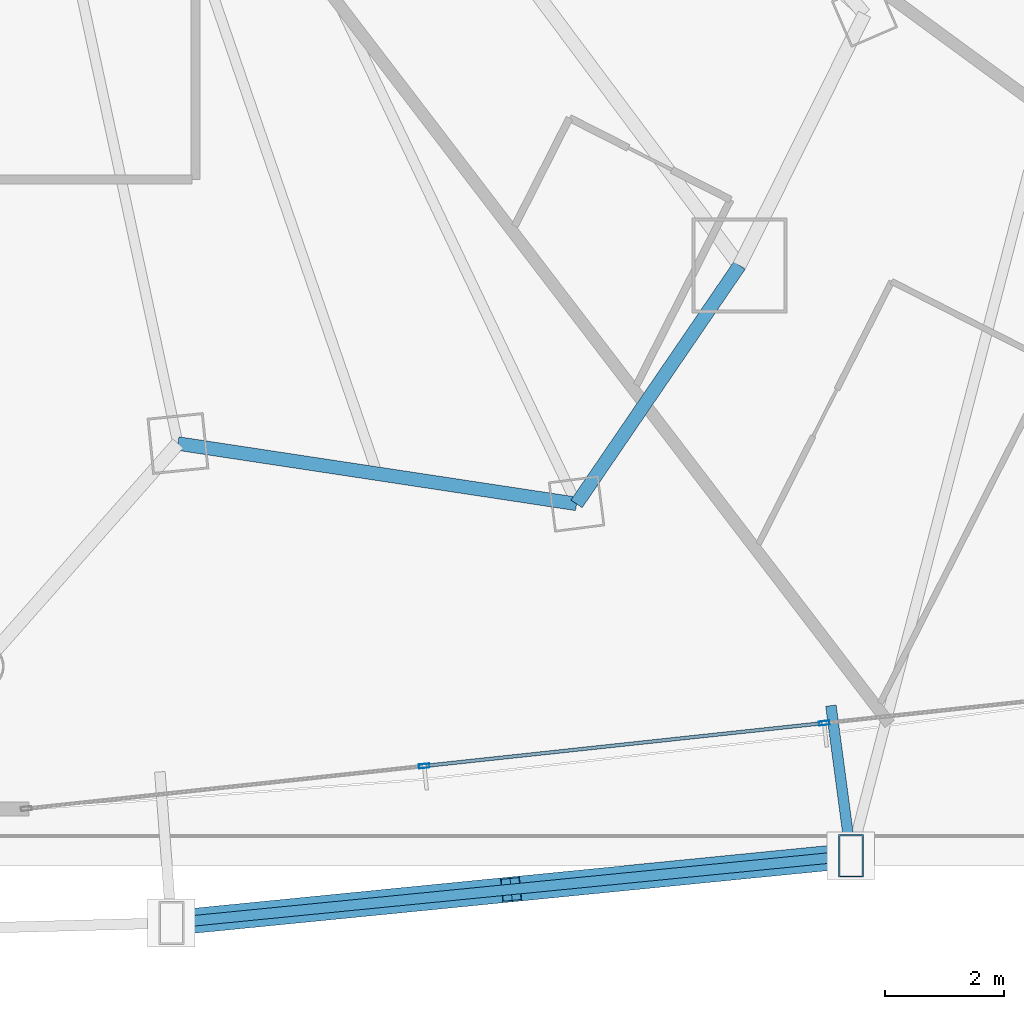
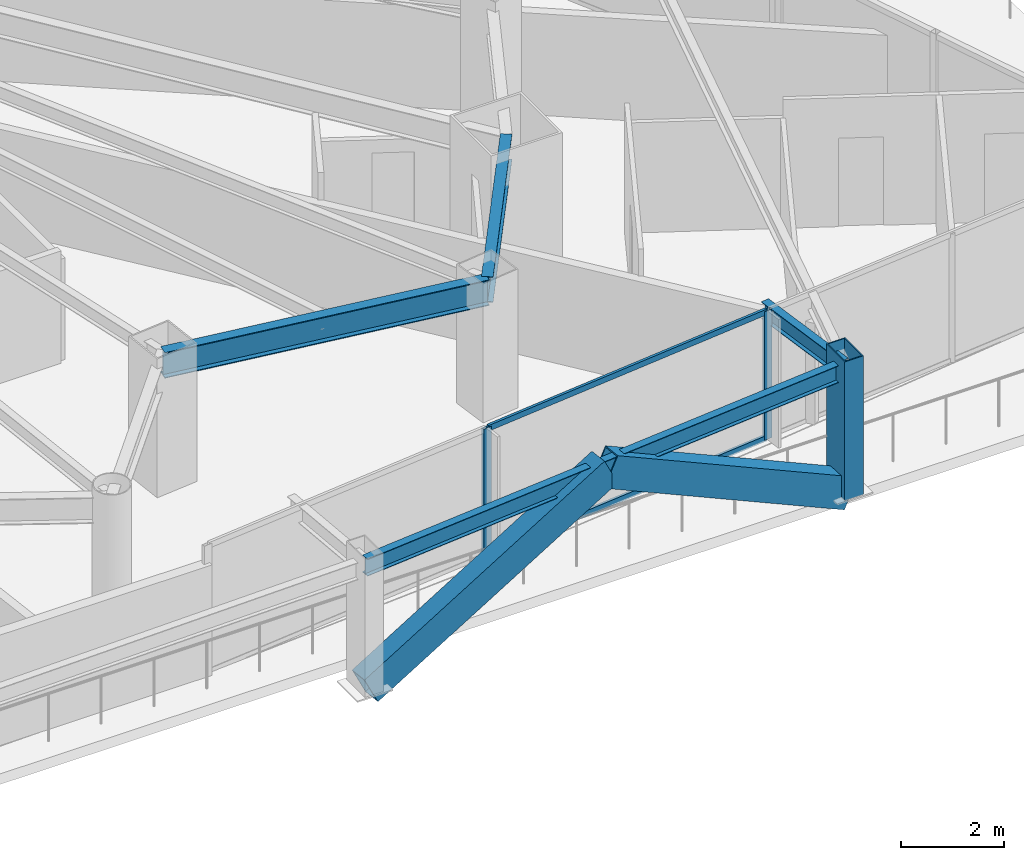
# One storey, part 13 of 36: 7 members, 4 beams, 1 element without a shape of its own.
"""IFC4 building model written with IfcOpenShell, lengths in metres."""

import ifcopenshell
import ifcopenshell.guid

model = None  # the IFC model being written
_history = None  # IfcOwnerHistory: only IFC2X3 demands one
_inside = {}  # id of a spatial element -> (the spatial element, [elements in it])
_under = {}  # id of a project, library or spatial element -> (it, [spatial elements below it])
_declared = {}  # id of a project -> (the project, [libraries it declares])
_typed = {}  # id of a type object -> (the type object, [elements of that type])
_made_of = {}  # id of a material, layer set ... -> (it, [elements and type objects made of it])


def new_model(schema):
    """Start an empty IFC model of exactly this schema.

    Asked for "IFC4X3", IfcOpenShell would pick the latest addendum, in which some entities
    have other attributes; the version numbers below select the first issue.
    IFC2X3 requires an IfcOwnerHistory on every rooted entity: one is made here for all.
    """
    global model, _history
    if schema == "IFC4X3":
        model = ifcopenshell.file(schema_version=(4, 3, 0, 0))
    else:
        model = ifcopenshell.file(schema=schema)
    _inside.clear()
    _under.clear()
    _declared.clear()
    _typed.clear()
    _made_of.clear()
    _history = None
    if model.schema == "IFC2X3":
        org = make("IfcOrganization", Name="unknown")
        user = make(
            "IfcPersonAndOrganization",
            ThePerson=make("IfcPerson", FamilyName="unknown"),
            TheOrganization=org,
        )
        app = make(
            "IfcApplication",
            ApplicationDeveloper=org,
            Version="unknown",
            ApplicationFullName="unknown",
            ApplicationIdentifier="unknown",
        )
        _history = make(
            "IfcOwnerHistory",
            OwningUser=user,
            OwningApplication=app,
            ChangeAction="ADDED",
            CreationDate=0,
        )
    return model


def make(cls, **values):
    """One entity of the class cls with the attributes given. An attribute that is None is left unset."""
    return model.create_entity(
        cls, **{name: value for name, value in values.items() if value is not None}
    )


def rooted(cls, **values):
    """An entity with a GlobalId (a new one), such as an element, a storey or a relation."""
    return make(cls, GlobalId=ifcopenshell.guid.new(), OwnerHistory=_history, **values)


def si_unit(unit_type, name, prefix=None):
    """IfcSIUnit, for example si_unit("LENGTHUNIT", "METRE", prefix="MILLI")."""
    return make("IfcSIUnit", UnitType=unit_type, Prefix=prefix, Name=name)


def assignment(units):
    """IfcUnitAssignment: the units of a project."""
    return None if units is None else make("IfcUnitAssignment", Units=units)


def point(xyz):
    """IfcCartesianPoint."""
    return None if xyz is None else make("IfcCartesianPoint", Coordinates=xyz)


def direction(xyz):
    """IfcDirection."""
    return None if xyz is None else make("IfcDirection", DirectionRatios=xyz)


def frame(location, z_axis=None, x_axis=None):
    """IfcAxis2Placement3D, a coordinate frame: its origin and axes. An axis left out is left unset."""
    return make(
        "IfcAxis2Placement3D",
        Location=point(location),
        Axis=direction(z_axis),
        RefDirection=direction(x_axis),
    )


def frame_2d(location, x_axis=None):
    """IfcAxis2Placement2D, a coordinate frame in the plane: its origin and x axis."""
    return make(
        "IfcAxis2Placement2D", Location=point(location), RefDirection=direction(x_axis)
    )


def origin():
    """The frame at (0, 0, 0) with its axes left unset."""
    return frame((0.0, 0.0, 0.0))


def origin_2d():
    """The frame at (0, 0) in the plane with its x axis left unset."""
    return frame_2d((0.0, 0.0))


def place(relative_to, where):
    """IfcLocalPlacement: puts the frame where relative to a parent placement (None: the world)."""
    return make(
        "IfcLocalPlacement", PlacementRelTo=relative_to, RelativePlacement=where
    )


def context(
    kind, dimensions, precision=None, world=None, true_north=None, identifier=None
):
    """IfcGeometricRepresentationContext, for example the 3D "Model" context."""
    return make(
        "IfcGeometricRepresentationContext",
        ContextIdentifier=identifier,
        ContextType=kind,
        CoordinateSpaceDimension=dimensions,
        Precision=precision,
        WorldCoordinateSystem=world,
        TrueNorth=true_north,
    )


def subcontext(parent, identifier, kind, view, scale=None):
    """IfcGeometricRepresentationSubContext, for example "Body" below "Model"."""
    return make(
        "IfcGeometricRepresentationSubContext",
        ContextIdentifier=identifier,
        ContextType=kind,
        ParentContext=parent,
        TargetScale=scale,
        TargetView=view,
    )


def project(units=None, contexts=None):
    """IfcProject with its units and contexts."""
    return rooted(
        "IfcProject",
        Name="project",
        RepresentationContexts=contexts,
        UnitsInContext=assignment(units),
    )


def spatial(cls, under=None, at=None, **own):
    """A site, building, storey or space (cls), placed at a placement, below another one or the project."""
    s = rooted(cls, ObjectPlacement=at, **own)
    if under is not None:
        _under.setdefault(under.id(), (under, []))[1].append(s)
    return s


def profile(cls, at=None, kind="AREA", **sizes):
    """A parametric profile (cls). Its sizes go by their IFC names, for example OverallWidth=200.0."""
    return make(cls, ProfileType=kind, Position=at, **sizes)


def hollow_rectangle(**sizes):
    """IfcRectangleHollowProfileDef."""
    return profile("IfcRectangleHollowProfileDef", **sizes)


def i_section(**sizes):
    """IfcIShapeProfileDef."""
    return profile("IfcIShapeProfileDef", **sizes)


def extrude(swept, where, along, depth):
    """IfcExtrudedAreaSolid: the profile swept, set in the frame where, extruded along a direction by depth."""
    return make(
        "IfcExtrudedAreaSolid",
        SweptArea=swept,
        Position=where,
        ExtrudedDirection=direction(along),
        Depth=depth,
    )


def shape(context_of_items, identifier, shape_type, items):
    """IfcShapeRepresentation: the items that make up one representation, for example the "Body"."""
    return make(
        "IfcShapeRepresentation",
        ContextOfItems=context_of_items,
        RepresentationIdentifier=identifier,
        RepresentationType=shape_type,
        Items=items,
    )


def material(Name=None, Category=None):
    """IfcMaterial."""
    return make("IfcMaterial", Name=Name, Category=Category)


def layer(
    of_material, thickness, ventilated=None, Name=None, Category=None, Priority=None
):
    """IfcMaterialLayer: one layer of a wall or slab, of a material (None: an air gap)."""
    return make(
        "IfcMaterialLayer",
        Material=of_material,
        LayerThickness=thickness,
        IsVentilated=ventilated,
        Name=Name,
        Category=Category,
        Priority=Priority,
    )


def layer_set(layers, Name=None):
    """IfcMaterialLayerSet."""
    return make("IfcMaterialLayerSet", MaterialLayers=layers, LayerSetName=Name)


def material_profile(
    of_material, cross_section, Name=None, Category=None, Priority=None
):
    """IfcMaterialProfile: a cross section and its material."""
    return make(
        "IfcMaterialProfile",
        Name=Name,
        Material=of_material,
        Profile=cross_section,
        Priority=Priority,
        Category=Category,
    )


def profile_set(profiles, Name=None, composite=None):
    """IfcMaterialProfileSet."""
    return make(
        "IfcMaterialProfileSet",
        Name=Name,
        MaterialProfiles=profiles,
        CompositeProfile=composite,
    )


def made_of(thing, what):
    """Note that an element or type object is made of a material, layer set ...; save() writes the relation."""
    if what is not None:
        _made_of.setdefault(what.id(), (what, []))[1].append(thing)
    return thing


def type_object(cls, material=None, **own):
    """A type object (cls), such as IfcWallType, which elements share."""
    return made_of(rooted(cls, **own), material)


def element(
    cls,
    number,
    at=None,
    inside=None,
    cuts=None,
    type_object=None,
    material=None,
    context=None,
    identifier="Body",
    shape_type=None,
    held_by="IfcProductDefinitionShape",
    body=None,
    shapes=None,
    **own,
):
    """One element of the class cls, such as IfcWall. Its Tag is "e" and its number.

    at: its placement. inside: the storey or other place that contains it. cuts: it is an
    opening in that element (IfcRelVoidsElement). A single representation is given by context,
    identifier, shape_type and body (its items); several are given by shapes. held_by: the class
    of the entity that holds the representations. save() writes the other relations.
    """
    e = rooted(cls, Tag="e%d" % number, ObjectPlacement=at, **own)
    if body is not None:
        shapes = [shape(context, identifier, shape_type, body)]
    if shapes is not None:
        e.Representation = make(held_by, Representations=shapes)
    if inside is not None:
        _inside.setdefault(inside.id(), (inside, []))[1].append(e)
    if cuts is not None:
        rooted(
            "IfcRelVoidsElement", RelatingBuildingElement=cuts, RelatedOpeningElement=e
        )
    if type_object is not None:
        _typed.setdefault(type_object.id(), (type_object, []))[1].append(e)
    return made_of(e, material)


def aggregate(whole, parts):
    """IfcRelAggregates: a whole, such as a stair, and the parts it consists of."""
    return rooted("IfcRelAggregates", RelatingObject=whole, RelatedObjects=parts)


def save(model, path):
    """Write the relations noted so far, then the file.

    IfcRelAggregates (storeys below a building ...), IfcRelContainedInSpatialStructure (elements
    in a storey), IfcRelDefinesByType, IfcRelAssociatesMaterial and IfcRelDeclares: one each for
    every whole, place, type object, material and project.
    """
    for whole, parts in _under.values():
        aggregate(whole, parts)
    for where, things in _inside.values():
        rooted(
            "IfcRelContainedInSpatialStructure",
            RelatedElements=things,
            RelatingStructure=where,
        )
    for kind, things in _typed.values():
        rooted("IfcRelDefinesByType", RelatedObjects=things, RelatingType=kind)
    for what, things in _made_of.values():
        rooted("IfcRelAssociatesMaterial", RelatedObjects=things, RelatingMaterial=what)
    for by, libraries in _declared.values():
        rooted("IfcRelDeclares", RelatingContext=by, RelatedDefinitions=libraries)
    model.write(path)


model = new_model("IFC4")

# Units and contexts
model_context = context("Model", 3, precision=1e-05, world=origin(), true_north=direction((0.0, 1.0)))
body_context = subcontext(model_context, "Body", "Model", "MODEL_VIEW")
ifc_project = project(units=[si_unit("LENGTHUNIT", "METRE"), si_unit("AREAUNIT", "SQUARE_METRE"), si_unit("VOLUMEUNIT", "CUBIC_METRE"), si_unit("PLANEANGLEUNIT", "RADIAN"), si_unit("MASSUNIT", "GRAM", prefix="KILO")], contexts=[model_context])

# Site, building, storey
site_placement = place(None, origin())
site = spatial("IfcSite", under=ifc_project, at=site_placement, CompositionType="ELEMENT")
building_placement = place(site_placement, origin())
building = spatial("IfcBuilding", under=site, at=building_placement, Name="Orvanel Arch Residences", CompositionType="ELEMENT")
storey_placement = place(building_placement, frame((0.0, 0.0, 23.60009765625)))
storey = spatial("IfcBuildingStorey", under=building, at=storey_placement, Name="L05", CompositionType="ELEMENT", Elevation=23.60009765625)

# Members
ifc_material_1 = material(Name="Structural steel AS/NZS 3678 Grade 350", Category="steel")
ifc_material_profile_1 = material_profile(ifc_material_1, hollow_rectangle(XDim=0.419921875, YDim=0.719970703125, WallThickness=0.02490234375, at=origin_2d()), Name="RHS720x420x25")
ifc_profile_set_1 = profile_set([ifc_material_profile_1], Name="Structural steel AS/NZS 3678 Grade 350")
member_type_1 = type_object("IfcMemberType", Name="BR-720RHS-EXT", PredefinedType="BRACE", material=ifc_profile_set_1)
for number, where, z_axis, x_axis, name in (
    (1, (42.239013671875, -0.714111328125, 0.0), (0.891111811105, 0.088065051983, 0.445156474431), (-0.098346950492, 0.995152188024, 0.0), "L05 Exterior Sky-Garden V-Frame Chevron F2B3.1"),
    (2, (53.677001953125, 0.416015625, 0.0), (-0.891114795778, -0.08802730576, 0.44515796543), (0.09830487864, -0.995156344921, 0.0), "L05 Exterior Sky-Garden V-Frame Chevron F2B3.2"),
):
    element("IfcMember", number, at=place(storey_placement, frame(where, z_axis=z_axis, x_axis=x_axis)), inside=storey, type_object=member_type_1, Name=name, PredefinedType="BRACE", context=body_context, shape_type="SweptSolid", body=[
        extrude(hollow_rectangle(XDim=0.419921875, YDim=0.719970703125, WallThickness=0.02490234375, at=origin_2d()), origin(), (0.0, 0.0, 1.0), 6.417724609375),
    ])
ifc_material_profile_2 = material_profile(ifc_material_1, hollow_rectangle(XDim=0.419921875, YDim=0.719970703125, WallThickness=0.02490234375, at=origin_2d()), Name="RHS720x420x25")
ifc_profile_set_2 = profile_set([ifc_material_profile_2], Name="Structural steel AS/NZS 3678 Grade 350")
member_type_2 = type_object("IfcMemberType", Name="CH-720RHS-EXT", PredefinedType="CHORD", material=ifc_profile_set_2)
member_1_placement = place(storey_placement, frame((53.677001953125, 0.416015625, 0.0), z_axis=(0.0, 0.0, 1.0), x_axis=(1.0, 0.0, 0.0)))
element("IfcMember", 3, at=member_1_placement, inside=storey, type_object=member_type_2, Name="L05 Outer Perimeter Frame Post 08", PredefinedType="CHORD", context=body_context, shape_type="SweptSolid", body=[
    extrude(hollow_rectangle(XDim=0.419921875, YDim=0.719970703125, WallThickness=0.02490234375, at=origin_2d()), origin(), (0.0, 0.0, 1.0), 3.2998046875),
])

# Curtain wall, members
ifc_material_2 = material(Name="Bronze-anodised aluminium AA6063-T6", Category="aluminium")
ifc_layer = layer(ifc_material_2, 0.179931640625)
ifc_layer_set = layer_set([ifc_layer], Name="Bronze-anodised aluminium AA6063-T6")
curtain_wall_type = type_object("IfcCurtainWallType", Name="CW2-LOW-SYS", PredefinedType="NOTDEFINED", material=ifc_layer_set)
curtain_wall_placement = place(storey_placement, origin())
curtain_wall = element("IfcCurtainWall", 4, at=curtain_wall_placement, inside=storey, type_object=curtain_wall_type, Name="L05 CW2-LOW-SYS Unitised Curtain Wall", PredefinedType="NOTDEFINED")
ifc_material_profile_3 = material_profile(ifc_material_2, hollow_rectangle(XDim=0.070068359375, YDim=0.179931640625, WallThickness=0.00439453125, at=origin_2d()), Name="ALU180x70x4.5")
ifc_profile_set_3 = profile_set([ifc_material_profile_3], Name="Bronze-anodised aluminium AA6063-T6")
member_type_3 = type_object("IfcMemberType", Name="MUL-180x70", PredefinedType="MULLION", material=ifc_profile_set_3)
member_2_placement = place(storey_placement, frame((46.4951171875, 1.92822265625, 0.0), z_axis=(0.0, 0.0, 1.0), x_axis=(-0.106701765481, 0.994291070685, 0.0)))
member_2 = element("IfcMember", 5, at=member_2_placement, type_object=member_type_3, Name="CW-S2 mullion 2", PredefinedType="MULLION", context=body_context, shape_type="SweptSolid", body=[
    extrude(hollow_rectangle(XDim=0.070068359375, YDim=0.179931640625, WallThickness=0.00439453125, at=origin_2d()), origin(), (0.0, 0.0, 1.0), 3.059814453125),
])
member_3_placement = place(storey_placement, frame((53.22607421875, 2.650634765625, 0.0), z_axis=(0.0, 0.0, 1.0), x_axis=(-0.106701765481, 0.994291070685, 0.0)))
member_3 = element("IfcMember", 6, at=member_3_placement, type_object=member_type_3, Name="CW-S2 mullion 3", PredefinedType="MULLION", context=body_context, shape_type="SweptSolid", body=[
    extrude(hollow_rectangle(XDim=0.070068359375, YDim=0.179931640625, WallThickness=0.00439453125, at=origin_2d()), origin(), (0.0, 0.0, 1.0), 3.059814453125),
])

# Beams
ifc_material_3 = material(Name="Structural steel AS/NZS 3679.1 Grade 300 (300 MPa)", Category="steel")
ifc_material_profile_4 = material_profile(ifc_material_3, i_section(OverallWidth=0.177978515625, OverallDepth=0.406005859375, WebThickness=0.0078125, FlangeThickness=0.0126953125, at=origin_2d()), Name="410UB59.7")
ifc_profile_set_4 = profile_set([ifc_material_profile_4], Name="Structural steel AS/NZS 3679.1 Grade 300 (300 MPa)")
beam_type_1 = type_object("IfcBeamType", Name="OB-410UB-EXT", PredefinedType="SPANDREL", material=ifc_profile_set_4)
beam_1_placement = place(storey_placement, frame((42.239013671875, -0.714111328125, 2.85693359375), z_axis=(0.99515426669, 0.098325914632, 0.0), x_axis=(-0.098325914632, 0.99515426669, 0.0)))
element("IfcBeam", 7, at=beam_1_placement, inside=storey, type_object=beam_type_1, Name="L05 Outer Perimeter Floor Ring Beam 07", PredefinedType="SPANDREL", context=body_context, shape_type="SweptSolid", body=[
    extrude(i_section(OverallWidth=0.177978515625, OverallDepth=0.406005859375, WebThickness=0.0078125, FlangeThickness=0.0126953125, at=origin_2d()), origin(), (0.0, 0.0, 1.0), 11.49365234375),
])
beam_2_placement = place(storey_placement, frame((53.340087890625, 2.944091796875, 2.85693359375), z_axis=(0.132101017616, -0.991236258994, 0.0), x_axis=(0.991236258994, 0.132101017616, 0.0)))
element("IfcBeam", 8, at=beam_2_placement, inside=storey, type_object=beam_type_1, Name="L05 Outer Frame Radial Tie Beam 08", PredefinedType="SPANDREL", context=body_context, shape_type="SweptSolid", body=[
    extrude(i_section(OverallWidth=0.177978515625, OverallDepth=0.406005859375, WebThickness=0.0078125, FlangeThickness=0.0126953125, at=origin_2d()), origin(), (0.0, 0.0, 1.0), 2.550537109375),
])
ifc_material_profile_5 = material_profile(ifc_material_3, i_section(OverallWidth=0.22900390625, OverallDepth=0.612060546875, WebThickness=0.011962890625, FlangeThickness=0.01953125, at=origin_2d()), Name="610UB125")
ifc_profile_set_5 = profile_set([ifc_material_profile_5], Name="Structural steel AS/NZS 3679.1 Grade 300 (300 MPa)")
beam_type_2 = type_object("IfcBeamType", Name="SP-610UB", PredefinedType="SPANDREL", material=ifc_profile_set_5)
beam_3_placement = place(storey_placement, frame((42.35107421875, 7.35498046875, 2.75390625), z_axis=(0.988726323014, -0.149733958002, 0.0), x_axis=(0.149733958002, 0.988726323014, 0.0)))
element("IfcBeam", 9, at=beam_3_placement, inside=storey, type_object=beam_type_2, Name="L05 Perimeter Spandrel Beam 09", PredefinedType="SPANDREL", context=body_context, shape_type="SweptSolid", body=[
    extrude(i_section(OverallWidth=0.22900390625, OverallDepth=0.612060546875, WebThickness=0.011962890625, FlangeThickness=0.01953125, at=origin_2d()), origin(), (0.0, 0.0, 1.0), 6.784423828125),
])
beam_4_placement = place(storey_placement, frame((49.05908203125, 6.339111328125, 2.75390625), z_axis=(0.564251579852, 0.825602903722, 0.0), x_axis=(-0.825602903722, 0.564251579852, 0.0)))
element("IfcBeam", 10, at=beam_4_placement, inside=storey, type_object=beam_type_2, Name="L05 Perimeter Spandrel Beam 10", PredefinedType="SPANDREL", context=body_context, shape_type="SweptSolid", body=[
    extrude(i_section(OverallWidth=0.22900390625, OverallDepth=0.612060546875, WebThickness=0.011962890625, FlangeThickness=0.01953125, at=origin_2d()), origin(), (0.0, 0.0, 1.0), 4.859375),
])

# Member
ifc_material_profile_6 = material_profile(ifc_material_2, hollow_rectangle(XDim=0.06005859375, YDim=0.135009765625, WallThickness=0.00390625, at=origin_2d()), Name="ALU135x60x4")
ifc_profile_set_6 = profile_set([ifc_material_profile_6], Name="Bronze-anodised aluminium AA6063-T6")
member_type_4 = type_object("IfcMemberType", Name="TRN-135x60", PredefinedType="USERDEFINED", material=ifc_profile_set_6)
member_4_placement = place(storey_placement, frame((46.52978515625, 1.93212890625, 0.02978515625), z_axis=(0.994291356146, 0.106699105398, 0.0), x_axis=(-0.106699105398, 0.994291356146, 0.0)))
member_4 = element("IfcMember", 11, at=member_4_placement, type_object=member_type_4, Name="CW-S2 transom 2.1", ObjectType="TRANSOM", PredefinedType="USERDEFINED", context=body_context, shape_type="SweptSolid", body=[
    extrude(hollow_rectangle(XDim=0.06005859375, YDim=0.135009765625, WallThickness=0.00390625, at=origin_2d()), origin(), (0.0, 0.0, 1.0), 6.69970703125),
])

member_5_placement = place(storey_placement, frame((46.52978515625, 1.93212890625, 3.02978515625), z_axis=(0.994291356146, 0.106699105398, 0.0), x_axis=(-0.106699105398, 0.994291356146, 0.0)))
member_5 = element("IfcMember", 12, at=member_5_placement, type_object=member_type_4, Name="CW-S2 transom 2.2", ObjectType="TRANSOM", PredefinedType="USERDEFINED", context=body_context, shape_type="SweptSolid", body=[
    extrude(hollow_rectangle(XDim=0.06005859375, YDim=0.135009765625, WallThickness=0.00390625, at=origin_2d()), origin(), (0.0, 0.0, 1.0), 6.69970703125),
])

aggregate(curtain_wall, [member_2, member_3, member_4, member_5])

save(model, "model.ifc")
